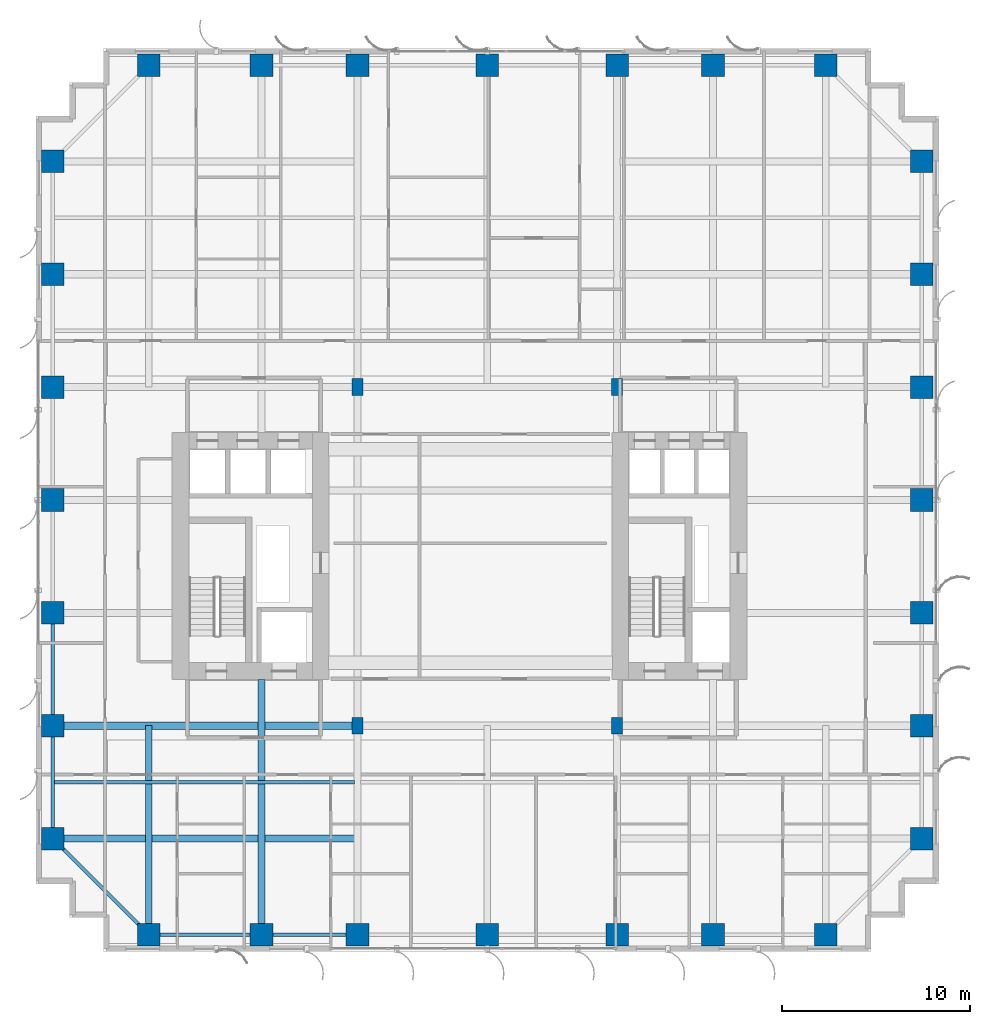
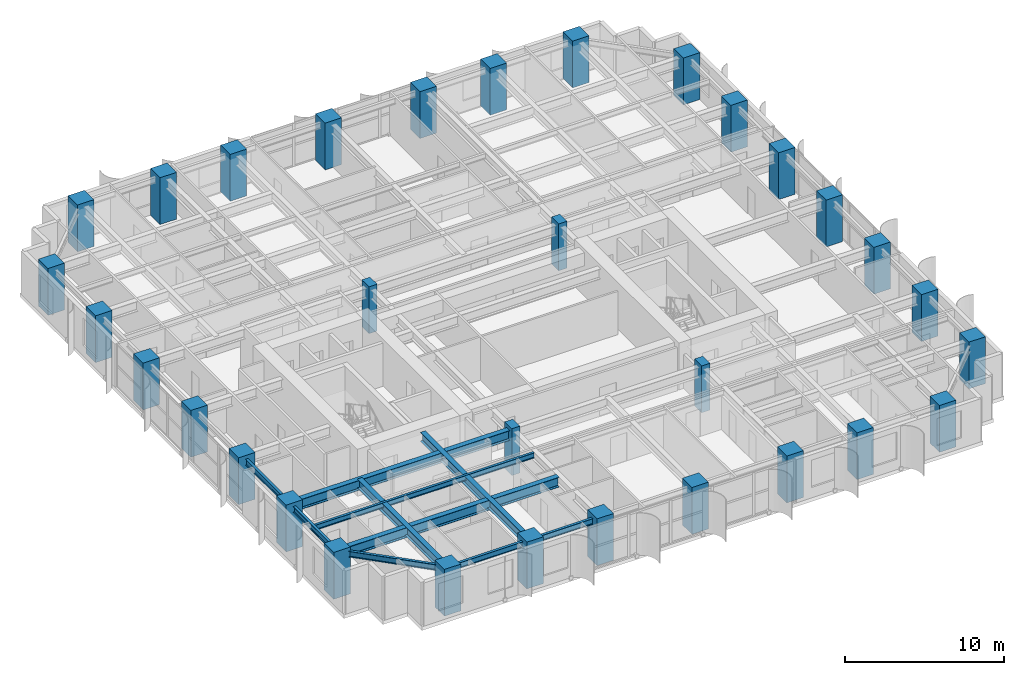
# One storey, part 1 of 23: 32 columns, 10 beams.
"""IFC4 building model written with IfcOpenShell, lengths in metres."""

from ifc_helpers import new_model, si_unit, direction, frame, origin, origin_2d, place, context, subcontext, project, spatial, rectangle, i_section, extrude, source, transform, mapped, material, material_profile, profile_set, type_object, element, save


model = new_model("IFC4")

# Units and contexts
model_context = context("Model", 3, precision=1e-05, world=origin(), true_north=direction((0.0, 1.0)))
body_context = subcontext(model_context, "Body", "Model", "MODEL_VIEW")
ifc_project = project(units=[si_unit("LENGTHUNIT", "METRE"), si_unit("AREAUNIT", "SQUARE_METRE"), si_unit("VOLUMEUNIT", "CUBIC_METRE"), si_unit("PLANEANGLEUNIT", "RADIAN"), si_unit("MASSUNIT", "GRAM", prefix="KILO")], contexts=[model_context])

# Site, building, storey
site_placement = place(None, origin())
site = spatial("IfcSite", under=ifc_project, at=site_placement, CompositionType="ELEMENT")
building_placement = place(site_placement, origin())
building = spatial("IfcBuilding", under=site, at=building_placement, Name="Khoralis Quay Care Tower", CompositionType="ELEMENT")
storey_placement = place(building_placement, frame((0.0, 0.0, 33.300048828125)))
storey = spatial("IfcBuildingStorey", under=building, at=storey_placement, Name="L08", CompositionType="ELEMENT", Elevation=33.300048828125)

# Columns
ifc_material_1 = material(Name="Concrete C80/95", Category="concrete")
ifc_material_profile_1 = material_profile(ifc_material_1, rectangle(XDim=1.199951171875, YDim=1.199951171875, at=origin_2d()), Name="Concrete C80/95")
ifc_profile_set_1 = profile_set([ifc_material_profile_1], Name="Concrete C80/95")
column_type_1 = type_object("IfcColumnType", Name="COL-C1200", PredefinedType="COLUMN", material=ifc_profile_set_1)
shared_shape_1 = source(origin(), body_context, "Body", "SweptSolid", [
    extrude(rectangle(XDim=1.199951171875, YDim=1.199951171875, at=origin_2d()), origin(), (0.0, 0.0, 1.0), 3.599853515625),
])
for number, where, z_axis, x_axis, name in (
    (1, (6.0, 0.89990234375, 0.0), (0.0, 0.0, 1.0), (1.0, 0.0, 0.0), "COL-TWR-L08-01"),
    (2, (6.0, 47.10009765625, 0.0), (0.0, 0.0, 1.0), (1.0, 0.0, 0.0), "COL-TWR-L08-02"),
    (3, (12.0, 0.89990234375, 0.0), (0.0, 0.0, 1.0), (1.0, 0.0, 0.0), "COL-TWR-L08-03"),
    (4, (12.0, 47.10009765625, 0.0), (0.0, 0.0, 1.0), (1.0, 0.0, 0.0), "COL-TWR-L08-04"),
    (5, (17.10009765625, 0.89990234375, 0.0), (0.0, 0.0, 1.0), (1.0, 0.0, 0.0), "COL-TWR-L08-05"),
    (6, (17.10009765625, 47.10009765625, 0.0), (0.0, 0.0, 1.0), (1.0, 0.0, 0.0), "COL-TWR-L08-06"),
    (7, (24.0, 0.89990234375, 0.0), (0.0, 0.0, 1.0), (1.0, 0.0, 0.0), "COL-TWR-L08-07"),
    (8, (24.0, 47.10009765625, 0.0), (0.0, 0.0, 1.0), (1.0, 0.0, 0.0), "COL-TWR-L08-08"),
    (9, (30.89990234375, 0.89990234375, 0.0), (0.0, 0.0, 1.0), (1.0, 0.0, 0.0), "COL-TWR-L08-09"),
    (10, (30.89990234375, 47.10009765625, 0.0), (0.0, 0.0, 1.0), (1.0, 0.0, 0.0), "COL-TWR-L08-10"),
    (11, (36.0, 0.89990234375, 0.0), (0.0, 0.0, 1.0), (1.0, 0.0, 0.0), "COL-TWR-L08-11"),
    (12, (36.0, 47.10009765625, 0.0), (0.0, 0.0, 1.0), (1.0, 0.0, 0.0), "COL-TWR-L08-12"),
    (13, (42.0, 0.89990234375, 0.0), (0.0, 0.0, 1.0), (1.0, 0.0, 0.0), "COL-TWR-L08-13"),
    (14, (42.0, 47.10009765625, 0.0), (0.0, 0.0, 1.0), (1.0, 0.0, 0.0), "COL-TWR-L08-14"),
    (15, (0.89990234375, 6.0, 0.0), (0.0, 0.0, 1.0), (1.0, 0.0, 0.0), "COL-TWR-L08-15"),
    (16, (47.10009765625, 6.0, 0.0), (0.0, 0.0, 1.0), (1.0, 0.0, 0.0), "COL-TWR-L08-16"),
    (17, (0.89990234375, 12.0, 0.0), (0.0, 0.0, 1.0), (1.0, 0.0, 0.0), "COL-TWR-L08-17"),
    (18, (47.10009765625, 12.0, 0.0), (0.0, 0.0, 1.0), (1.0, 0.0, 0.0), "COL-TWR-L08-18"),
    (19, (0.89990234375, 18.0, 0.0), (0.0, 0.0, 1.0), (1.0, 0.0, 0.0), "COL-TWR-L08-19"),
    (20, (47.10009765625, 18.0, 0.0), (0.0, 0.0, 1.0), (1.0, 0.0, 0.0), "COL-TWR-L08-20"),
    (21, (0.89990234375, 24.0, 0.0), (0.0, 0.0, 1.0), (1.0, 0.0, 0.0), "COL-TWR-L08-21"),
    (22, (47.10009765625, 24.0, 0.0), (0.0, 0.0, 1.0), (1.0, 0.0, 0.0), "COL-TWR-L08-22"),
    (23, (0.89990234375, 30.0, 0.0), (0.0, 0.0, 1.0), (1.0, 0.0, 0.0), "COL-TWR-L08-23"),
    (24, (47.10009765625, 30.0, 0.0), (0.0, 0.0, 1.0), (1.0, 0.0, 0.0), "COL-TWR-L08-24"),
    (25, (0.89990234375, 36.0, 0.0), (0.0, 0.0, 1.0), (1.0, 0.0, 0.0), "COL-TWR-L08-25"),
    (26, (47.10009765625, 36.0, 0.0), (0.0, 0.0, 1.0), (1.0, 0.0, 0.0), "COL-TWR-L08-26"),
    (27, (0.89990234375, 42.0, 0.0), (0.0, 0.0, 1.0), (1.0, 0.0, 0.0), "COL-TWR-L08-27"),
    (28, (47.10009765625, 42.0, 0.0), (0.0, 0.0, 1.0), (1.0, 0.0, 0.0), "COL-TWR-L08-28"),
):
    element("IfcColumn", number, at=place(storey_placement, frame(where, z_axis=z_axis, x_axis=x_axis)), inside=storey, type_object=column_type_1, Name=name, PredefinedType="COLUMN", context=body_context, shape_type="MappedRepresentation", body=[
        mapped(shared_shape_1, transform((0.0, 0.0, 0.0), scale=1.0)),
    ])
ifc_material_2 = material(Name="Concrete C65/80", Category="concrete")
ifc_material_profile_2 = material_profile(ifc_material_2, rectangle(XDim=0.60009765625, YDim=0.89990234375, at=origin_2d()), Name="Concrete C65/80")
ifc_profile_set_2 = profile_set([ifc_material_profile_2], Name="Concrete C65/80")
column_type_2 = type_object("IfcColumnType", Name="COL-C600X900", PredefinedType="COLUMN", material=ifc_profile_set_2)
shared_shape_2 = source(origin(), body_context, "Body", "SweptSolid", [
    extrude(rectangle(XDim=0.60009765625, YDim=0.89990234375, at=origin_2d()), origin(), (0.0, 0.0, 1.0), 3.599853515625),
])
for number, where, z_axis, x_axis, name in (
    (29, (17.10009765625, 12.0, 0.0), (0.0, 0.0, 1.0), (1.0, 0.0, 0.0), "COL-TWR-L08-29"),
    (30, (17.10009765625, 30.0, 0.0), (0.0, 0.0, 1.0), (1.0, 0.0, 0.0), "COL-TWR-L08-30"),
    (31, (30.89990234375, 12.0, 0.0), (0.0, 0.0, 1.0), (1.0, 0.0, 0.0), "COL-TWR-L08-31"),
    (32, (30.89990234375, 30.0, 0.0), (0.0, 0.0, 1.0), (1.0, 0.0, 0.0), "COL-TWR-L08-32"),
):
    element("IfcColumn", number, at=place(storey_placement, frame(where, z_axis=z_axis, x_axis=x_axis)), inside=storey, type_object=column_type_2, Name=name, PredefinedType="COLUMN", context=body_context, shape_type="MappedRepresentation", body=[
        mapped(shared_shape_2, transform((0.0, 0.0, 0.0), scale=1.0)),
    ])

# Beams
ifc_material_3 = material(Name="Steel S355", Category="steel")
ifc_material_profile_3 = material_profile(ifc_material_3, i_section(OverallWidth=0.18994140625, OverallDepth=0.449951171875, WebThickness=0.009521484375, FlangeThickness=0.0146484375, FilletRadius=0.02099609375, at=origin_2d()), Name="Steel S355")
ifc_profile_set_3 = profile_set([ifc_material_profile_3], Name="Steel S355")
beam_type_1 = type_object("IfcBeamType", Name="BM-IPE450", PredefinedType="SPANDREL", material=ifc_profile_set_3)
shared_shape_3 = source(origin(), body_context, "Body", "SweptSolid", [
    extrude(i_section(OverallWidth=0.18994140625, OverallDepth=0.449951171875, WebThickness=0.009521484375, FlangeThickness=0.0146484375, FilletRadius=0.02099609375, at=origin_2d()), origin(), (0.0, 0.0, 1.0), 6.0),
])
for number, where, z_axis, x_axis, name in (
    (33, (6.0, 0.89990234375, 3.094970703125), (1.0, 0.0, 0.0), (0.0, 1.0, 0.0), "BM-TSP-L08-01"),
    (34, (0.89990234375, 6.0, 3.094970703125), (0.0, 1.0, 0.0), (-1.0, 0.0, 0.0), "BM-TSP-L08-13"),
    (35, (0.89990234375, 12.0, 3.094970703125), (0.0, 1.0, 0.0), (-1.0, 0.0, 0.0), "BM-TSP-L08-14"),
):
    element("IfcBeam", number, at=place(storey_placement, frame(where, z_axis=z_axis, x_axis=x_axis)), inside=storey, type_object=beam_type_1, Name=name, PredefinedType="SPANDREL", context=body_context, shape_type="MappedRepresentation", body=[
        mapped(shared_shape_3, transform((0.0, 0.0, 0.0), scale=1.0)),
    ])
shared_shape_4 = source(origin(), body_context, "Body", "SweptSolid", [
    extrude(i_section(OverallWidth=0.18994140625, OverallDepth=0.449951171875, WebThickness=0.009521484375, FlangeThickness=0.0146484375, FilletRadius=0.02099609375, at=origin_2d()), origin(), (0.0, 0.0, 1.0), 5.10009765625),
])
beam_1_placement = place(storey_placement, frame((12.0, 0.89990234375, 3.094970703125), z_axis=(1.0, 0.0, 0.0), x_axis=(0.0, 1.0, 0.0)))
element("IfcBeam", 36, at=beam_1_placement, inside=storey, type_object=beam_type_1, Name="BM-TSP-L08-02", PredefinedType="SPANDREL", context=body_context, shape_type="MappedRepresentation", body=[
    mapped(shared_shape_4, transform((0.0, 0.0, 0.0), scale=1.0)),
])
shared_shape_5 = source(origin(), body_context, "Body", "SweptSolid", [
    extrude(i_section(OverallWidth=0.18994140625, OverallDepth=0.449951171875, WebThickness=0.009521484375, FlangeThickness=0.0146484375, FilletRadius=0.02099609375, at=origin_2d()), origin(), (0.0, 0.0, 1.0), 7.212646484375),
])
beam_2_placement = place(storey_placement, frame((6.0, 0.89990234375, 3.094970703125), z_axis=(-0.707106781187, 0.707106781187, 0.0), x_axis=(-0.707106781187, -0.707106781187, 0.0)))
element("IfcBeam", 37, at=beam_2_placement, inside=storey, type_object=beam_type_1, Name="BM-TCR-L08-25", PredefinedType="SPANDREL", context=body_context, shape_type="MappedRepresentation", body=[
    mapped(shared_shape_5, transform((0.0, 0.0, 0.0), scale=1.0)),
])
ifc_material_profile_4 = material_profile(ifc_material_3, i_section(OverallWidth=0.381103515625, OverallDepth=0.77294921875, WebThickness=0.0166015625, FlangeThickness=0.027587890625, FilletRadius=0.02197265625, at=origin_2d()), Name="Steel S355")
ifc_profile_set_4 = profile_set([ifc_material_profile_4], Name="Steel S355")
beam_type_2 = type_object("IfcBeamType", Name="BM-W760X257", PredefinedType="BEAM", material=ifc_profile_set_4)
shared_shape_6 = source(origin(), body_context, "Body", "SweptSolid", [
    extrude(i_section(OverallWidth=0.381103515625, OverallDepth=0.77294921875, WebThickness=0.0166015625, FlangeThickness=0.027587890625, FilletRadius=0.02197265625, at=origin_2d()), origin(), (0.0, 0.0, 1.0), 16.03466796875),
])
beam_3_placement = place(storey_placement, frame((0.89990234375, 6.0, 2.933349609375), z_axis=(1.0, 0.0, 0.0), x_axis=(0.0, 1.0, 0.0)))
element("IfcBeam", 38, at=beam_3_placement, inside=storey, type_object=beam_type_2, Name="BM-TGXW-L08-60", PredefinedType="BEAM", context=body_context, shape_type="MappedRepresentation", body=[
    mapped(shared_shape_6, transform((0.0, 0.0, 0.0), scale=1.0)),
])
shared_shape_7 = source(origin(), body_context, "Body", "SweptSolid", [
    extrude(i_section(OverallWidth=0.381103515625, OverallDepth=0.77294921875, WebThickness=0.0166015625, FlangeThickness=0.027587890625, FilletRadius=0.02197265625, at=origin_2d()), origin(), (0.0, 0.0, 1.0), 16.2001953125),
])
beam_4_placement = place(storey_placement, frame((0.89990234375, 12.0, 2.933349609375), z_axis=(1.0, 0.0, 0.0), x_axis=(0.0, 1.0, 0.0)))
element("IfcBeam", 39, at=beam_4_placement, inside=storey, type_object=beam_type_2, Name="BM-TGXW-L08-120", PredefinedType="BEAM", context=body_context, shape_type="MappedRepresentation", body=[
    mapped(shared_shape_7, transform((0.0, 0.0, 0.0), scale=1.0)),
])
ifc_material_profile_5 = material_profile(ifc_material_3, i_section(OverallWidth=0.35498046875, OverallDepth=0.695068359375, WebThickness=0.015380859375, FlangeThickness=0.02490234375, FilletRadius=0.02001953125, at=origin_2d()), Name="Steel S355")
ifc_profile_set_5 = profile_set([ifc_material_profile_5], Name="Steel S355")
beam_type_3 = type_object("IfcBeamType", Name="BM-W690X217", PredefinedType="BEAM", material=ifc_profile_set_5)
shared_shape_8 = source(origin(), body_context, "Body", "SweptSolid", [
    extrude(i_section(OverallWidth=0.35498046875, OverallDepth=0.695068359375, WebThickness=0.015380859375, FlangeThickness=0.02490234375, FilletRadius=0.02001953125, at=origin_2d()), origin(), (0.0, 0.0, 1.0), 11.10009765625),
])
beam_5_placement = place(storey_placement, frame((6.0, 0.89990234375, 2.972412109375), z_axis=(0.0, 1.0, 0.0), x_axis=(-1.0, 0.0, 0.0)))
element("IfcBeam", 40, at=beam_5_placement, inside=storey, type_object=beam_type_3, Name="BM-TGYS-L08-60", PredefinedType="BEAM", context=body_context, shape_type="MappedRepresentation", body=[
    mapped(shared_shape_8, transform((0.0, 0.0, 0.0), scale=1.0)),
])
shared_shape_9 = source(origin(), body_context, "Body", "SweptSolid", [
    extrude(i_section(OverallWidth=0.35498046875, OverallDepth=0.695068359375, WebThickness=0.015380859375, FlangeThickness=0.02490234375, FilletRadius=0.02001953125, at=origin_2d()), origin(), (0.0, 0.0, 1.0), 13.552001953125),
])
beam_6_placement = place(storey_placement, frame((12.0, 0.89990234375, 2.972412109375), z_axis=(0.0, 1.0, 0.0), x_axis=(-1.0, 0.0, 0.0)))
element("IfcBeam", 41, at=beam_6_placement, inside=storey, type_object=beam_type_3, Name="BM-TGYS-L08-120", PredefinedType="BEAM", context=body_context, shape_type="MappedRepresentation", body=[
    mapped(shared_shape_9, transform((0.0, 0.0, 0.0), scale=1.0)),
])
ifc_material_profile_6 = material_profile(ifc_material_3, i_section(OverallWidth=0.177978515625, OverallDepth=0.406982421875, WebThickness=0.0078125, FlangeThickness=0.0126953125, FilletRadius=0.012939453125, at=origin_2d()), Name="Steel S355")
ifc_profile_set_6 = profile_set([ifc_material_profile_6], Name="Steel S355")
beam_type_4 = type_object("IfcBeamType", Name="BM-W410X60", PredefinedType="JOIST", material=ifc_profile_set_6)
shared_shape_10 = source(origin(), body_context, "Body", "SweptSolid", [
    extrude(i_section(OverallWidth=0.177978515625, OverallDepth=0.406982421875, WebThickness=0.0078125, FlangeThickness=0.0126953125, FilletRadius=0.012939453125, at=origin_2d()), origin(), (0.0, 0.0, 1.0), 15.95361328125),
])
beam_7_placement = place(storey_placement, frame((0.98095703125, 9.0, 3.116455078125), z_axis=(1.0, 0.0, 0.0), x_axis=(0.0, 1.0, 0.0)))
element("IfcBeam", 42, at=beam_7_placement, inside=storey, type_object=beam_type_4, Name="BM-TJS-L08-29", PredefinedType="JOIST", context=body_context, shape_type="MappedRepresentation", body=[
    mapped(shared_shape_10, transform((0.0, 0.0, 0.0), scale=1.0)),
])

save(model, "model.ifc")
